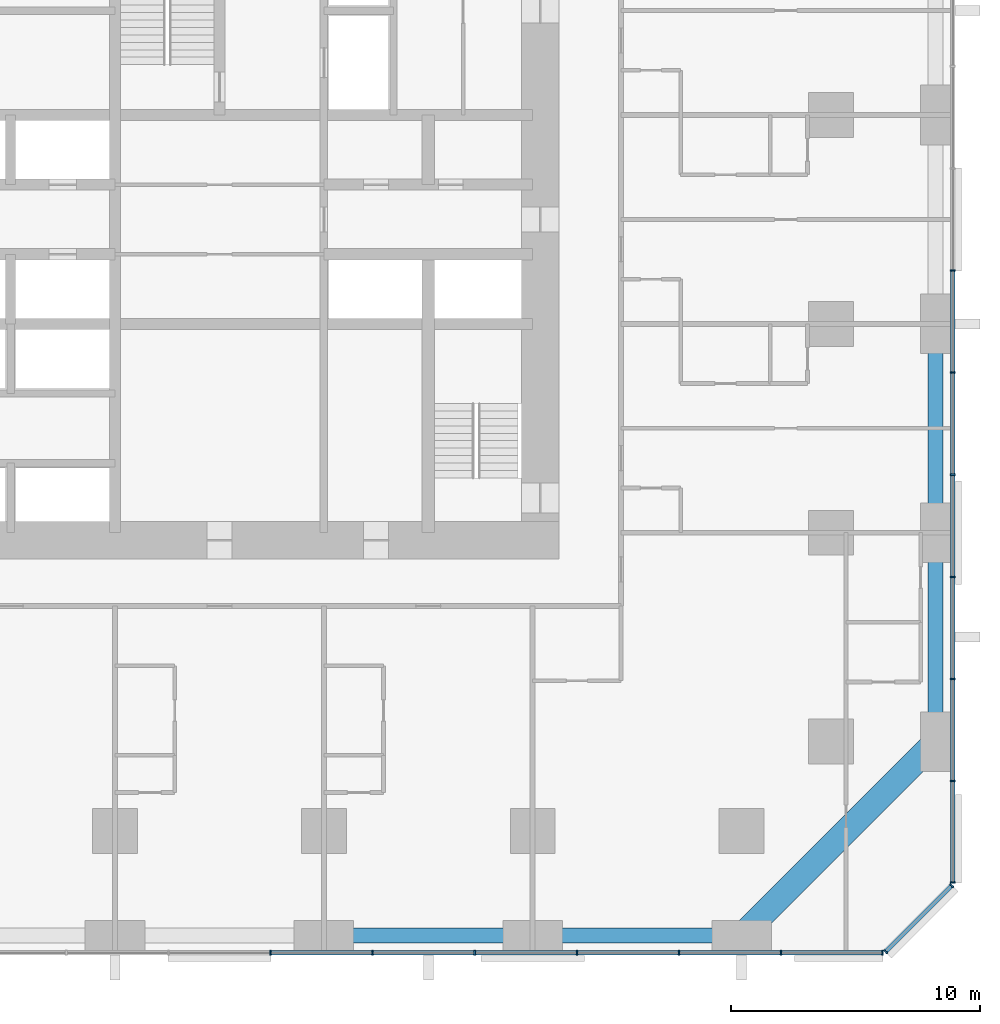
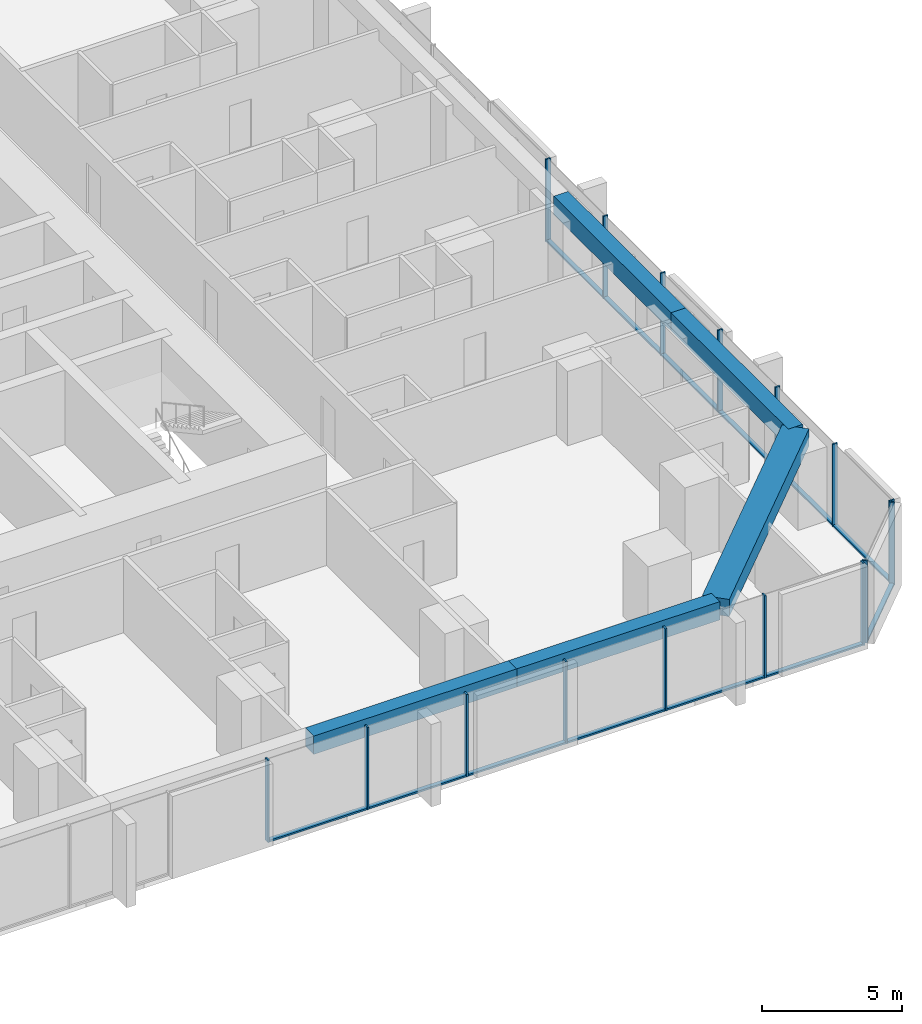
# One storey, part 4 of 17: 29 members, 5 beams, 3 elements without a shape of their own.
"""IFC4 building model written with IfcOpenShell, lengths in metres."""

from ifc_helpers import new_model, si_unit, direction, frame, origin, origin_2d, place, context, subcontext, project, spatial, rectangle, extrude, material, material_profile, profile_set, type_object, element, aggregate, save


model = new_model("IFC4")

# Units and contexts
model_context = context("Model", 3, precision=1e-05, world=origin(), true_north=direction((0.0, 1.0)))
body_context = subcontext(model_context, "Body", "Model", "MODEL_VIEW")
ifc_project = project(units=[si_unit("LENGTHUNIT", "METRE"), si_unit("AREAUNIT", "SQUARE_METRE"), si_unit("VOLUMEUNIT", "CUBIC_METRE"), si_unit("PLANEANGLEUNIT", "RADIAN"), si_unit("MASSUNIT", "GRAM", prefix="KILO")], contexts=[model_context])

# Site, building, storey
site_placement = place(None, origin())
site = spatial("IfcSite", under=ifc_project, at=site_placement, CompositionType="ELEMENT")
building_placement = place(site_placement, origin())
building = spatial("IfcBuilding", under=site, at=building_placement, Name="Dunama Terrace Hotel", CompositionType="ELEMENT")
storey_placement = place(building_placement, frame((0.0, 0.0, 55.800048828125)))
storey = spatial("IfcBuildingStorey", under=building, at=storey_placement, Name="L13", CompositionType="ELEMENT", Elevation=55.800048828125)

# Curtain wall, members
ifc_material_1 = material(Name="Aluminium curtain wall system", Category="aluminium")
curtain_wall_type = type_object("IfcCurtainWallType", Name="Unitised fritted glass wall CW-A", PredefinedType="NOTDEFINED", material=ifc_material_1)
curtain_wall_1_placement = place(storey_placement, origin())
curtain_wall_1 = element("IfcCurtainWall", 1, at=curtain_wall_1_placement, inside=storey, type_object=curtain_wall_type, Name="Unitised fritted glass wall CW-A L13", PredefinedType="NOTDEFINED")
ifc_material_2 = material(Name="Aluminium mullion", Category="aluminium")
ifc_material_profile_1 = material_profile(ifc_material_2, rectangle(XDim=0.06494140625, YDim=0.199951171875, at=origin_2d()), Name="CWA MULLION 65X200")
ifc_profile_set_1 = profile_set([ifc_material_profile_1], Name="Aluminium mullion")
member_type_1 = type_object("IfcMemberType", Name="CWA mullion 65x200", PredefinedType="MULLION", material=ifc_profile_set_1)
member_1_placement = place(storey_placement, frame((31.4541015625, -0.10009765625, 0.0), z_axis=(0.0, 0.0, 1.0), x_axis=(1.0, 0.0, 0.0)))
member_1 = element("IfcMember", 2, at=member_1_placement, type_object=member_type_1, Name="CWA mullion", PredefinedType="MULLION", context=body_context, shape_type="SweptSolid", body=[
    extrude(rectangle(XDim=0.06494140625, YDim=0.199951171875, at=origin_2d()), origin(), (0.0, 0.0, 1.0), 3.599853515625),
])
member_2_placement = place(storey_placement, frame((35.56201171875, -0.10009765625, 0.0), z_axis=(0.0, 0.0, 1.0), x_axis=(1.0, 0.0, 0.0)))
member_2 = element("IfcMember", 3, at=member_2_placement, type_object=member_type_1, Name="CWA mullion", PredefinedType="MULLION", context=body_context, shape_type="SweptSolid", body=[
    extrude(rectangle(XDim=0.06494140625, YDim=0.199951171875, at=origin_2d()), origin(), (0.0, 0.0, 1.0), 3.599853515625),
])
member_3_placement = place(storey_placement, frame((39.6689453125, -0.10009765625, 0.0), z_axis=(0.0, 0.0, 1.0), x_axis=(1.0, 0.0, 0.0)))
member_3 = element("IfcMember", 4, at=member_3_placement, type_object=member_type_1, Name="CWA mullion", PredefinedType="MULLION", context=body_context, shape_type="SweptSolid", body=[
    extrude(rectangle(XDim=0.06494140625, YDim=0.199951171875, at=origin_2d()), origin(), (0.0, 0.0, 1.0), 3.599853515625),
])
member_4_placement = place(storey_placement, frame((43.777099609375, -0.10009765625, 0.0), z_axis=(0.0, 0.0, 1.0), x_axis=(1.0, 0.0, 0.0)))
member_4 = element("IfcMember", 5, at=member_4_placement, type_object=member_type_1, Name="CWA mullion", PredefinedType="MULLION", context=body_context, shape_type="SweptSolid", body=[
    extrude(rectangle(XDim=0.06494140625, YDim=0.199951171875, at=origin_2d()), origin(), (0.0, 0.0, 1.0), 3.599853515625),
])
member_5_placement = place(storey_placement, frame((47.885009765625, -0.10009765625, 0.0), z_axis=(0.0, 0.0, 1.0), x_axis=(1.0, 0.0, 0.0)))
member_5 = element("IfcMember", 6, at=member_5_placement, type_object=member_type_1, Name="CWA mullion", PredefinedType="MULLION", context=body_context, shape_type="SweptSolid", body=[
    extrude(rectangle(XDim=0.06494140625, YDim=0.199951171875, at=origin_2d()), origin(), (0.0, 0.0, 1.0), 3.599853515625),
])
member_6_placement = place(storey_placement, frame((51.991943359375, -0.10009765625, 0.0), z_axis=(0.0, 0.0, 1.0), x_axis=(1.0, 0.0, 0.0)))
member_6 = element("IfcMember", 7, at=member_6_placement, type_object=member_type_1, Name="CWA mullion", PredefinedType="MULLION", context=body_context, shape_type="SweptSolid", body=[
    extrude(rectangle(XDim=0.06494140625, YDim=0.199951171875, at=origin_2d()), origin(), (0.0, 0.0, 1.0), 3.599853515625),
])
member_7_placement = place(storey_placement, frame((56.06689453125, -0.10009765625, 0.0), z_axis=(0.0, 0.0, 1.0), x_axis=(1.0, 0.0, 0.0)))
member_7 = element("IfcMember", 8, at=member_7_placement, type_object=member_type_1, Name="CWA mullion", PredefinedType="MULLION", context=body_context, shape_type="SweptSolid", body=[
    extrude(rectangle(XDim=0.06494140625, YDim=0.199951171875, at=origin_2d()), origin(), (0.0, 0.0, 1.0), 3.599853515625),
])

curtain_wall_2_placement = place(storey_placement, origin())
curtain_wall_2 = element("IfcCurtainWall", 9, at=curtain_wall_2_placement, inside=storey, type_object=curtain_wall_type, Name="Unitised fritted glass wall CW-A L13", PredefinedType="NOTDEFINED")
member_8_placement = place(storey_placement, frame((56.194091796875, -0.048095703125, 0.0), z_axis=(0.0, 0.0, 1.0), x_axis=(0.707106781187, 0.707106781187, 0.0)))
member_8 = element("IfcMember", 10, at=member_8_placement, type_object=member_type_1, Name="CWA mullion", PredefinedType="MULLION", context=body_context, shape_type="SweptSolid", body=[
    extrude(rectangle(XDim=0.06494140625, YDim=0.199951171875, at=origin_2d()), origin(), (0.0, 0.0, 1.0), 3.599853515625),
])
member_9_placement = place(storey_placement, frame((58.847900390625, 2.60595703125, 0.0), z_axis=(0.0, 0.0, 1.0), x_axis=(0.707106781187, 0.707106781187, 0.0)))
member_9 = element("IfcMember", 11, at=member_9_placement, type_object=member_type_1, Name="CWA mullion", PredefinedType="MULLION", context=body_context, shape_type="SweptSolid", body=[
    extrude(rectangle(XDim=0.06494140625, YDim=0.199951171875, at=origin_2d()), origin(), (0.0, 0.0, 1.0), 3.599853515625),
])

curtain_wall_3_placement = place(storey_placement, origin())
curtain_wall_3 = element("IfcCurtainWall", 12, at=curtain_wall_3_placement, inside=storey, type_object=curtain_wall_type, Name="Unitised fritted glass wall CW-A L13", PredefinedType="NOTDEFINED")
member_10_placement = place(storey_placement, frame((58.89990234375, 2.73291015625, 0.0), z_axis=(0.0, 0.0, 1.0), x_axis=(0.0, 1.0, 0.0)))
member_10 = element("IfcMember", 13, at=member_10_placement, type_object=member_type_1, Name="CWA mullion", PredefinedType="MULLION", context=body_context, shape_type="SweptSolid", body=[
    extrude(rectangle(XDim=0.06494140625, YDim=0.199951171875, at=origin_2d()), origin(), (0.0, 0.0, 1.0), 3.599853515625),
])
member_11_placement = place(storey_placement, frame((58.89990234375, 6.80810546875, 0.0), z_axis=(0.0, 0.0, 1.0), x_axis=(0.0, 1.0, 0.0)))
member_11 = element("IfcMember", 14, at=member_11_placement, type_object=member_type_1, Name="CWA mullion", PredefinedType="MULLION", context=body_context, shape_type="SweptSolid", body=[
    extrude(rectangle(XDim=0.06494140625, YDim=0.199951171875, at=origin_2d()), origin(), (0.0, 0.0, 1.0), 3.599853515625),
])
member_12_placement = place(storey_placement, frame((58.89990234375, 10.9150390625, 0.0), z_axis=(0.0, 0.0, 1.0), x_axis=(0.0, 1.0, 0.0)))
member_12 = element("IfcMember", 15, at=member_12_placement, type_object=member_type_1, Name="CWA mullion", PredefinedType="MULLION", context=body_context, shape_type="SweptSolid", body=[
    extrude(rectangle(XDim=0.06494140625, YDim=0.199951171875, at=origin_2d()), origin(), (0.0, 0.0, 1.0), 3.599853515625),
])
member_13_placement = place(storey_placement, frame((58.89990234375, 15.02294921875, 0.0), z_axis=(0.0, 0.0, 1.0), x_axis=(0.0, 1.0, 0.0)))
member_13 = element("IfcMember", 16, at=member_13_placement, type_object=member_type_1, Name="CWA mullion", PredefinedType="MULLION", context=body_context, shape_type="SweptSolid", body=[
    extrude(rectangle(XDim=0.06494140625, YDim=0.199951171875, at=origin_2d()), origin(), (0.0, 0.0, 1.0), 3.599853515625),
])
member_14_placement = place(storey_placement, frame((58.89990234375, 19.131103515625, 0.0), z_axis=(0.0, 0.0, 1.0), x_axis=(0.0, 1.0, 0.0)))
member_14 = element("IfcMember", 17, at=member_14_placement, type_object=member_type_1, Name="CWA mullion", PredefinedType="MULLION", context=body_context, shape_type="SweptSolid", body=[
    extrude(rectangle(XDim=0.06494140625, YDim=0.199951171875, at=origin_2d()), origin(), (0.0, 0.0, 1.0), 3.599853515625),
])
member_15_placement = place(storey_placement, frame((58.89990234375, 23.238037109375, 0.0), z_axis=(0.0, 0.0, 1.0), x_axis=(0.0, 1.0, 0.0)))
member_15 = element("IfcMember", 18, at=member_15_placement, type_object=member_type_1, Name="CWA mullion", PredefinedType="MULLION", context=body_context, shape_type="SweptSolid", body=[
    extrude(rectangle(XDim=0.06494140625, YDim=0.199951171875, at=origin_2d()), origin(), (0.0, 0.0, 1.0), 3.599853515625),
])
member_16_placement = place(storey_placement, frame((58.89990234375, 27.345947265625, 0.0), z_axis=(0.0, 0.0, 1.0), x_axis=(0.0, 1.0, 0.0)))
member_16 = element("IfcMember", 19, at=member_16_placement, type_object=member_type_1, Name="CWA mullion", PredefinedType="MULLION", context=body_context, shape_type="SweptSolid", body=[
    extrude(rectangle(XDim=0.06494140625, YDim=0.199951171875, at=origin_2d()), origin(), (0.0, 0.0, 1.0), 3.599853515625),
])

# Member
ifc_material_3 = material(Name="Aluminium transom", Category="aluminium")
ifc_material_profile_2 = material_profile(ifc_material_3, rectangle(XDim=0.179931640625, YDim=0.074951171875, at=origin_2d()), Name="CWA TRANSOM 180X75")
ifc_profile_set_2 = profile_set([ifc_material_profile_2], Name="Aluminium transom")
member_type_2 = type_object("IfcMemberType", Name="CWA transom 180x75", PredefinedType="USERDEFINED", material=ifc_profile_set_2)
member_17_placement = place(storey_placement, frame((31.486083984375, -0.10009765625, 0.037353515625), z_axis=(1.0, 0.0, 0.0), x_axis=(0.0, 1.0, 0.0)))
member_17 = element("IfcMember", 20, at=member_17_placement, type_object=member_type_2, Name="CWA transom", ObjectType="TRANSOM", PredefinedType="USERDEFINED", context=body_context, shape_type="SweptSolid", body=[
    extrude(rectangle(XDim=0.179931640625, YDim=0.074951171875, at=origin_2d()), origin(), (0.0, 0.0, 1.0), 4.04296875),
])

member_18_placement = place(storey_placement, frame((35.593994140625, -0.10009765625, 0.037353515625), z_axis=(1.0, 0.0, 0.0), x_axis=(0.0, 1.0, 0.0)))
member_18 = element("IfcMember", 21, at=member_18_placement, type_object=member_type_2, Name="CWA transom", ObjectType="TRANSOM", PredefinedType="USERDEFINED", context=body_context, shape_type="SweptSolid", body=[
    extrude(rectangle(XDim=0.179931640625, YDim=0.074951171875, at=origin_2d()), origin(), (0.0, 0.0, 1.0), 4.04296875),
])

member_19_placement = place(storey_placement, frame((39.701904296875, -0.10009765625, 0.037353515625), z_axis=(1.0, 0.0, 0.0), x_axis=(0.0, 1.0, 0.0)))
member_19 = element("IfcMember", 22, at=member_19_placement, type_object=member_type_2, Name="CWA transom", ObjectType="TRANSOM", PredefinedType="USERDEFINED", context=body_context, shape_type="SweptSolid", body=[
    extrude(rectangle(XDim=0.179931640625, YDim=0.074951171875, at=origin_2d()), origin(), (0.0, 0.0, 1.0), 4.0419921875),
])

member_20_placement = place(storey_placement, frame((43.80908203125, -0.10009765625, 0.037353515625), z_axis=(1.0, 0.0, 0.0), x_axis=(0.0, 1.0, 0.0)))
member_20 = element("IfcMember", 23, at=member_20_placement, type_object=member_type_2, Name="CWA transom", ObjectType="TRANSOM", PredefinedType="USERDEFINED", context=body_context, shape_type="SweptSolid", body=[
    extrude(rectangle(XDim=0.179931640625, YDim=0.074951171875, at=origin_2d()), origin(), (0.0, 0.0, 1.0), 4.04296875),
])

member_21_placement = place(storey_placement, frame((47.9169921875, -0.10009765625, 0.037353515625), z_axis=(1.0, 0.0, 0.0), x_axis=(0.0, 1.0, 0.0)))
member_21 = element("IfcMember", 24, at=member_21_placement, type_object=member_type_2, Name="CWA transom", ObjectType="TRANSOM", PredefinedType="USERDEFINED", context=body_context, shape_type="SweptSolid", body=[
    extrude(rectangle(XDim=0.179931640625, YDim=0.074951171875, at=origin_2d()), origin(), (0.0, 0.0, 1.0), 4.04296875),
])

member_22_placement = place(storey_placement, frame((52.02490234375, -0.10009765625, 0.037353515625), z_axis=(1.0, 0.0, 0.0), x_axis=(0.0, 1.0, 0.0)))
member_22 = element("IfcMember", 25, at=member_22_placement, type_object=member_type_2, Name="CWA transom", ObjectType="TRANSOM", PredefinedType="USERDEFINED", context=body_context, shape_type="SweptSolid", body=[
    extrude(rectangle(XDim=0.179931640625, YDim=0.074951171875, at=origin_2d()), origin(), (0.0, 0.0, 1.0), 4.010009765625),
])

aggregate(curtain_wall_1, [member_1, member_2, member_3, member_4, member_5, member_6, member_7, member_17, member_18, member_19, member_20, member_21, member_22])

member_23_placement = place(storey_placement, frame((56.217041015625, -0.02490234375, 0.037353515625), z_axis=(0.707106781187, 0.707106781187, 0.0), x_axis=(-0.707106781187, 0.707106781187, 0.0)))
member_23 = element("IfcMember", 26, at=member_23_placement, type_object=member_type_2, Name="CWA transom", ObjectType="TRANSOM", PredefinedType="USERDEFINED", context=body_context, shape_type="SweptSolid", body=[
    extrude(rectangle(XDim=0.179931640625, YDim=0.074951171875, at=origin_2d()), origin(), (0.0, 0.0, 1.0), 3.688232421875),
])

aggregate(curtain_wall_2, [member_8, member_9, member_23])

member_24_placement = place(storey_placement, frame((58.89990234375, 2.764892578125, 0.037353515625), z_axis=(0.0, 1.0, 0.0), x_axis=(-1.0, 0.0, 0.0)))
member_24 = element("IfcMember", 27, at=member_24_placement, type_object=member_type_2, Name="CWA transom", ObjectType="TRANSOM", PredefinedType="USERDEFINED", context=body_context, shape_type="SweptSolid", body=[
    extrude(rectangle(XDim=0.179931640625, YDim=0.074951171875, at=origin_2d()), origin(), (0.0, 0.0, 1.0), 4.010009765625),
])

member_25_placement = place(storey_placement, frame((58.89990234375, 6.840087890625, 0.037353515625), z_axis=(0.0, 1.0, 0.0), x_axis=(-1.0, 0.0, 0.0)))
member_25 = element("IfcMember", 28, at=member_25_placement, type_object=member_type_2, Name="CWA transom", ObjectType="TRANSOM", PredefinedType="USERDEFINED", context=body_context, shape_type="SweptSolid", body=[
    extrude(rectangle(XDim=0.179931640625, YDim=0.074951171875, at=origin_2d()), origin(), (0.0, 0.0, 1.0), 4.04296875),
])

member_26_placement = place(storey_placement, frame((58.89990234375, 10.947998046875, 0.037353515625), z_axis=(0.0, 1.0, 0.0), x_axis=(-1.0, 0.0, 0.0)))
member_26 = element("IfcMember", 29, at=member_26_placement, type_object=member_type_2, Name="CWA transom", ObjectType="TRANSOM", PredefinedType="USERDEFINED", context=body_context, shape_type="SweptSolid", body=[
    extrude(rectangle(XDim=0.179931640625, YDim=0.074951171875, at=origin_2d()), origin(), (0.0, 0.0, 1.0), 4.04296875),
])

member_27_placement = place(storey_placement, frame((58.89990234375, 15.055908203125, 0.037353515625), z_axis=(0.0, 1.0, 0.0), x_axis=(-1.0, 0.0, 0.0)))
member_27 = element("IfcMember", 30, at=member_27_placement, type_object=member_type_2, Name="CWA transom", ObjectType="TRANSOM", PredefinedType="USERDEFINED", context=body_context, shape_type="SweptSolid", body=[
    extrude(rectangle(XDim=0.179931640625, YDim=0.074951171875, at=origin_2d()), origin(), (0.0, 0.0, 1.0), 4.0419921875),
])

member_28_placement = place(storey_placement, frame((58.89990234375, 19.1630859375, 0.037353515625), z_axis=(0.0, 1.0, 0.0), x_axis=(-1.0, 0.0, 0.0)))
member_28 = element("IfcMember", 31, at=member_28_placement, type_object=member_type_2, Name="CWA transom", ObjectType="TRANSOM", PredefinedType="USERDEFINED", context=body_context, shape_type="SweptSolid", body=[
    extrude(rectangle(XDim=0.179931640625, YDim=0.074951171875, at=origin_2d()), origin(), (0.0, 0.0, 1.0), 4.04296875),
])

member_29_placement = place(storey_placement, frame((58.89990234375, 23.27099609375, 0.037353515625), z_axis=(0.0, 1.0, 0.0), x_axis=(-1.0, 0.0, 0.0)))
member_29 = element("IfcMember", 32, at=member_29_placement, type_object=member_type_2, Name="CWA transom", ObjectType="TRANSOM", PredefinedType="USERDEFINED", context=body_context, shape_type="SweptSolid", body=[
    extrude(rectangle(XDim=0.179931640625, YDim=0.074951171875, at=origin_2d()), origin(), (0.0, 0.0, 1.0), 4.04296875),
])

aggregate(curtain_wall_3, [member_10, member_11, member_12, member_13, member_14, member_15, member_16, member_24, member_25, member_26, member_27, member_28, member_29])

# Beams
ifc_material_4 = material(Name="Concrete C50/60", Category="concrete")
ifc_material_profile_3 = material_profile(ifc_material_4, rectangle(XDim=1.0, YDim=0.75, at=origin_2d()), Name="RC 1000x750")
ifc_profile_set_3 = profile_set([ifc_material_profile_3], Name="Concrete C50/60")
beam_type_1 = type_object("IfcBeamType", Name="Edge beam RC 1000x750", PredefinedType="SPANDREL", material=ifc_profile_set_3)
beam_1_placement = place(storey_placement, frame((50.39990234375, 0.60009765625, 3.224853515625), z_axis=(0.707117847453, 0.707095714747, 0.0), x_axis=(-0.707095714747, 0.707117847453, 0.0)))
element("IfcBeam", 33, at=beam_1_placement, inside=storey, type_object=beam_type_1, Name="Corner edge beam under L14", PredefinedType="SPANDREL", context=body_context, shape_type="SweptSolid", body=[
    extrude(rectangle(XDim=1.0, YDim=0.75, at=origin_2d()), origin(), (0.0, 0.0, 1.0), 11.03076171875),
])
ifc_material_5 = material(Name="Concrete C40/50", Category="concrete")
ifc_material_profile_4 = material_profile(ifc_material_5, rectangle(XDim=0.60009765625, YDim=0.800048828125, at=origin_2d()), Name="RC 600x800")
ifc_profile_set_4 = profile_set([ifc_material_profile_4], Name="Concrete C40/50")
beam_type_2 = type_object("IfcBeamType", Name="Edge beam RC 600x800", PredefinedType="SPANDREL", material=ifc_profile_set_4)
beam_2_placement = place(storey_placement, frame((58.199951171875, 8.39990234375, 3.199951171875), z_axis=(0.0, 1.0, 0.0), x_axis=(-1.0, 0.0, 0.0)))
element("IfcBeam", 34, at=beam_2_placement, inside=storey, type_object=beam_type_2, Name="Edge beam under L14", PredefinedType="SPANDREL", context=body_context, shape_type="SweptSolid", body=[
    extrude(rectangle(XDim=0.60009765625, YDim=0.800048828125, at=origin_2d()), origin(), (0.0, 0.0, 1.0), 8.400146484375),
])
for number, where, z_axis, x_axis, name in (
    (35, (58.199951171875, 16.800048828125, 3.199951171875), (0.0, 1.0, 0.0), (-1.0, 0.0, 0.0), "Edge beam under L14"),
    (36, (33.60009765625, 0.60009765625, 3.199951171875), (1.0, 0.0, 0.0), (0.0, 1.0, 0.0), "Edge beam under L14"),
    (37, (42.0, 0.60009765625, 3.199951171875), (1.0, 0.0, 0.0), (0.0, 1.0, 0.0), "Edge beam under L14"),
):
    element("IfcBeam", number, at=place(storey_placement, frame(where, z_axis=z_axis, x_axis=x_axis)), inside=storey, type_object=beam_type_2, Name=name, PredefinedType="SPANDREL", context=body_context, shape_type="SweptSolid", body=[
        extrude(rectangle(XDim=0.60009765625, YDim=0.800048828125, at=origin_2d()), origin(), (0.0, 0.0, 1.0), 8.39990234375),
    ])

save(model, "model.ifc")
